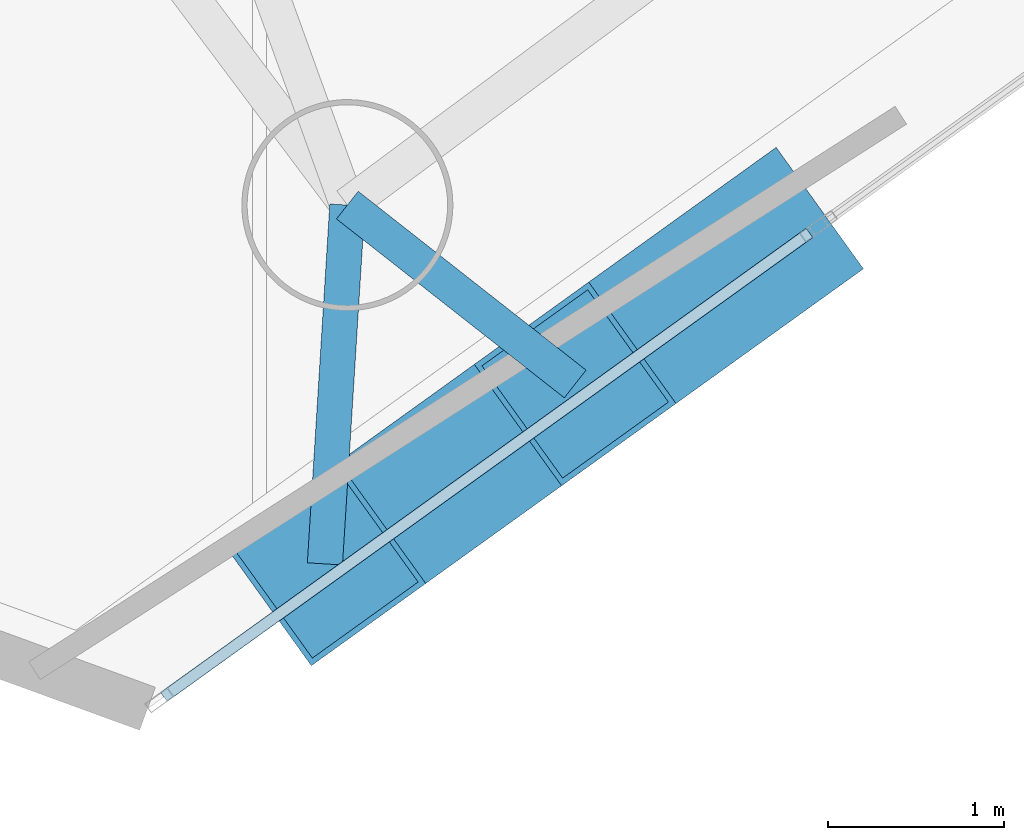
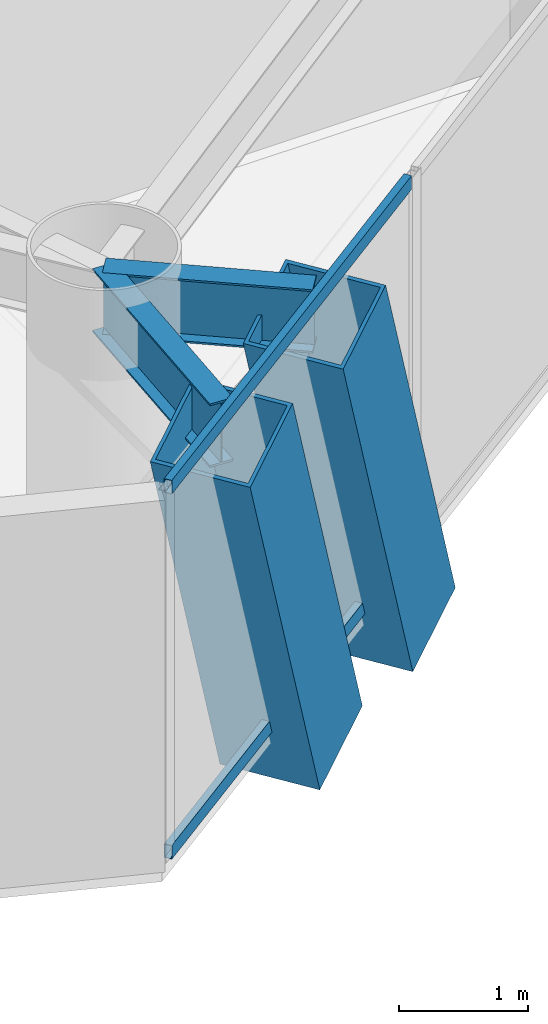
# One storey, part 3 of 22: 4 members, 2 beams, 1 element without a shape of its own.
"""IFC4 building model written with IfcOpenShell, lengths in metres."""

from ifc_helpers import new_model, si_unit, direction, frame, origin, origin_2d, place, context, subcontext, project, spatial, hollow_rectangle, i_section, extrude, material, layer, layer_set, material_profile, profile_set, type_object, element, aggregate, save


model = new_model("IFC4")

# Units and contexts
model_context = context("Model", 3, precision=1e-05, world=origin(), true_north=direction((0.0, 1.0)))
body_context = subcontext(model_context, "Body", "Model", "MODEL_VIEW")
ifc_project = project(units=[si_unit("LENGTHUNIT", "METRE"), si_unit("AREAUNIT", "SQUARE_METRE"), si_unit("VOLUMEUNIT", "CUBIC_METRE"), si_unit("PLANEANGLEUNIT", "RADIAN"), si_unit("MASSUNIT", "GRAM", prefix="KILO")], contexts=[model_context])

# Site, building, storey
site_placement = place(None, origin())
site = spatial("IfcSite", under=ifc_project, at=site_placement, CompositionType="ELEMENT")
building_placement = place(site_placement, origin())
building = spatial("IfcBuilding", under=site, at=building_placement, Name="Qianvela Tower", CompositionType="ELEMENT")
storey_placement = place(building_placement, frame((0.0, 0.0, 200.300048828125)))
storey = spatial("IfcBuildingStorey", under=building, at=storey_placement, Name="L51", CompositionType="ELEMENT", Elevation=200.300048828125)

# Beams
ifc_material_1 = material(Name="Steel Q355B", Category="steel")
ifc_material_profile_1 = material_profile(ifc_material_1, i_section(OverallWidth=0.199951171875, OverallDepth=0.60009765625, WebThickness=0.010986328125, FlangeThickness=0.01708984375, at=origin_2d()), Name="HN600x200x11x17")
ifc_profile_set_1 = profile_set([ifc_material_profile_1], Name="Steel Q355B")
beam_type = type_object("IfcBeamType", Name="BM-HN600-GIRD", PredefinedType="BEAM", material=ifc_profile_set_1)
beam_1_placement = place(storey_placement, frame((33.4130859375, 10.531005859375, 3.218017578125), z_axis=(-0.062460072204, -0.998047463491, 0.0), x_axis=(0.998047463491, -0.062460072204, 0.0)))
element("IfcBeam", 1, at=beam_1_placement, inside=storey, type_object=beam_type, Name="L51 Mega-Brace Column Tie Bracket F3-1", PredefinedType="BEAM", context=body_context, shape_type="SweptSolid", body=[
    extrude(i_section(OverallWidth=0.199951171875, OverallDepth=0.60009765625, WebThickness=0.010986328125, FlangeThickness=0.01708984375, at=origin_2d()), origin(), (0.0, 0.0, 1.0), 2.044189453125),
])
beam_2_placement = place(storey_placement, frame((33.4130859375, 10.531005859375, 3.218017578125), z_axis=(0.786534330242, -0.617546554804, 0.0), x_axis=(0.617546554804, 0.786534330242, 0.0)))
element("IfcBeam", 2, at=beam_2_placement, inside=storey, type_object=beam_type, Name="L51 Mega-Brace Column Tie Bracket F3-2", PredefinedType="BEAM", context=body_context, shape_type="SweptSolid", body=[
    extrude(i_section(OverallWidth=0.199951171875, OverallDepth=0.60009765625, WebThickness=0.010986328125, FlangeThickness=0.01708984375, at=origin_2d()), origin(), (0.0, 0.0, 1.0), 1.64697265625),
])

# Curtain wall, members
ifc_material_2 = material(Name="Anodised Architectural Aluminium and Insulated Spandrel Panel", Category="aluminium")
ifc_layer = layer(ifc_material_2, 0.179931640625)
ifc_layer_set = layer_set([ifc_layer], Name="Anodised Architectural Aluminium and Insulated Spandrel Panel")
curtain_wall_type = type_object("IfcCurtainWallType", Name="CW-BRACEBAY", PredefinedType="USERDEFINED", material=ifc_layer_set)
curtain_wall_placement = place(storey_placement, origin())
curtain_wall = element("IfcCurtainWall", 3, at=curtain_wall_placement, inside=storey, type_object=curtain_wall_type, Name="L51 CW-BRACEBAY Curtain Wall 06A", ObjectType="CURTAIN_WALL_SYSTEM", PredefinedType="USERDEFINED")
ifc_material_3 = material(Name="Anodised Architectural Aluminium 6063-T6", Category="aluminium")
ifc_material_profile_2 = material_profile(ifc_material_3, hollow_rectangle(XDim=0.06494140625, YDim=0.1298828125, WallThickness=0.00439453125, at=origin_2d()), Name="ALU-TRAN-65x130")
ifc_profile_set_2 = profile_set([ifc_material_profile_2], Name="Anodised Architectural Aluminium 6063-T6")
member_type_1 = type_object("IfcMemberType", Name="CW-BRACEBAY-TRAN", PredefinedType="USERDEFINED", material=ifc_profile_set_2)
member_1_placement = place(storey_placement, frame((32.369873046875, 7.734130859375, 0.032470703125), z_axis=(0.811963373248, 0.583708386529, 0.0), x_axis=(-0.583708386529, 0.811963373248, 0.0)))
member_1 = element("IfcMember", 4, at=member_1_placement, type_object=member_type_1, Name="CW-9 transom 1.1", ObjectType="TRANSOM", PredefinedType="USERDEFINED", context=body_context, shape_type="SweptSolid", body=[
    extrude(hollow_rectangle(XDim=0.06494140625, YDim=0.1298828125, WallThickness=0.00439453125, at=origin_2d()), origin(), (0.0, 0.0, 1.0), 4.52001953125),
])
member_2_placement = place(storey_placement, frame((32.369873046875, 7.734130859375, 3.487548828125), z_axis=(0.811963373248, 0.583708386529, 0.0), x_axis=(-0.583708386529, 0.811963373248, 0.0)))
member_2 = element("IfcMember", 5, at=member_2_placement, type_object=member_type_1, Name="CW-9 transom 1.2", ObjectType="TRANSOM", PredefinedType="USERDEFINED", context=body_context, shape_type="SweptSolid", body=[
    extrude(hollow_rectangle(XDim=0.06494140625, YDim=0.1298828125, WallThickness=0.00439453125, at=origin_2d()), origin(), (0.0, 0.0, 1.0), 4.52001953125),
])
aggregate(curtain_wall, [member_1, member_2])

# Members
ifc_material_4 = material(Name="Steel Q420GJC", Category="steel")
ifc_material_profile_3 = material_profile(ifc_material_4, hollow_rectangle(XDim=0.85009765625, YDim=0.85009765625, WallThickness=0.031982421875, at=origin_2d()), Name="MBOX-850x850x32")
ifc_profile_set_3 = profile_set([ifc_material_profile_3], Name="Steel Q420GJC")
member_type_2 = type_object("IfcMemberType", Name="MBR-MBRACE-850", PredefinedType="BRACE", material=ifc_profile_set_3)
member_3_placement = place(storey_placement, frame((34.351318359375, 9.257080078125, -0.48193359375), z_axis=(-0.271505389179, -0.195202798129, 0.942433388229), x_axis=(0.583750999483, -0.811932737733, 0.0)))
element("IfcMember", 6, at=member_3_placement, inside=storey, type_object=member_type_2, Name="L51 Tier 8 Exterior Mega-Brace F3A", PredefinedType="BRACE", context=body_context, shape_type="SweptSolid", body=[
    extrude(hollow_rectangle(XDim=0.85009765625, YDim=0.85009765625, WallThickness=0.031982421875, at=origin_2d()), origin(), (0.0, 0.0, 1.0), 3.926025390625),
])
member_4_placement = place(storey_placement, frame((35.774169921875, 10.280029296875, -0.48193359375), z_axis=(-0.271451080228, -0.195146274858, 0.942460737883), x_axis=(0.583716536202, -0.811957514507, 0.0)))
element("IfcMember", 7, at=member_4_placement, inside=storey, type_object=member_type_2, Name="L51 Tier 8 Exterior Mega-Brace F3B", PredefinedType="BRACE", context=body_context, shape_type="SweptSolid", body=[
    extrude(hollow_rectangle(XDim=0.85009765625, YDim=0.85009765625, WallThickness=0.031982421875, at=origin_2d()), origin(), (0.0, 0.0, 1.0), 3.92578125),
])

save(model, "model.ifc")
